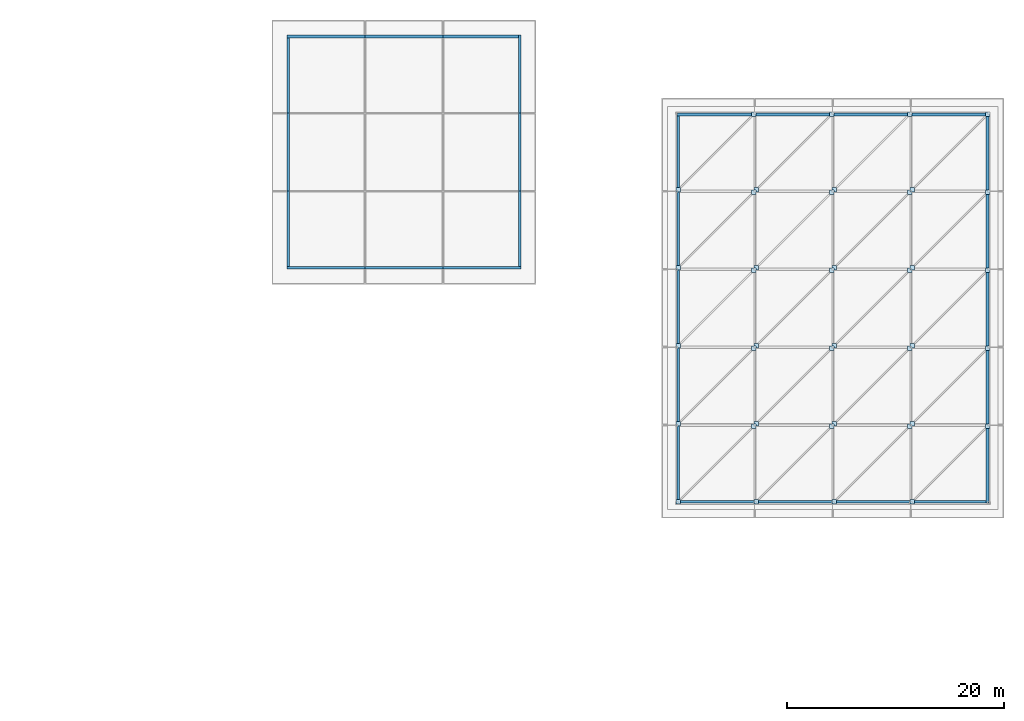
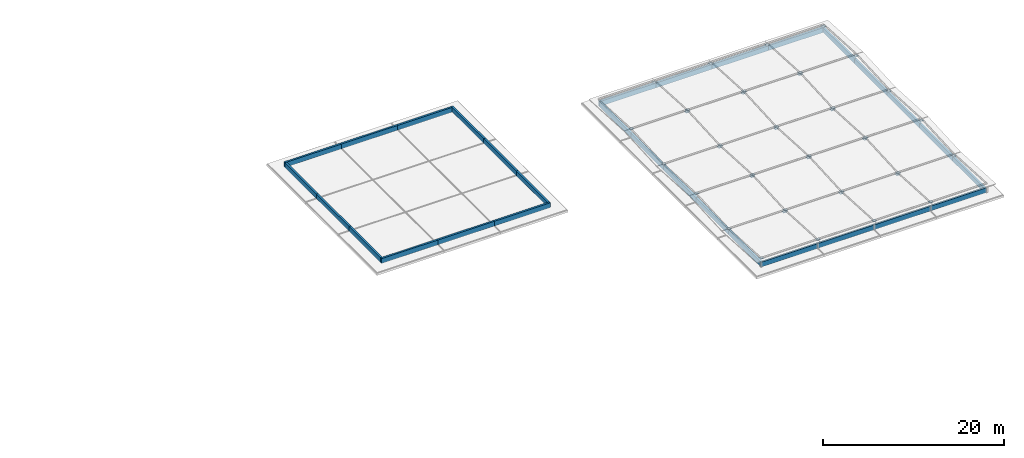
# One storey, part 14 of 15: 40 plates, 30 walls.
"""IFC4 building model written with IfcOpenShell, lengths in metres."""

from ifc_helpers import new_model, si_unit, direction, frame, frame_2d, origin, origin_2d, place, context, subcontext, project, spatial, rectangle, extrude, material, layer, layer_set, type_object, element, save


model = new_model("IFC4")

# Units and contexts
model_context = context("Model", 3, precision=1e-05, world=origin(), true_north=direction((0.0, 1.0)))
body_context = subcontext(model_context, "Body", "Model", "MODEL_VIEW")
ifc_project = project(units=[si_unit("LENGTHUNIT", "METRE"), si_unit("AREAUNIT", "SQUARE_METRE"), si_unit("VOLUMEUNIT", "CUBIC_METRE"), si_unit("PLANEANGLEUNIT", "RADIAN"), si_unit("MASSUNIT", "GRAM", prefix="KILO")], contexts=[model_context])

# Site, building, storey
site_placement = place(None, origin())
site = spatial("IfcSite", under=ifc_project, at=site_placement, CompositionType="ELEMENT")
building_placement = place(site_placement, origin())
building = spatial("IfcBuilding", under=site, at=building_placement, Name="Kavelor Marine Aquarium", CompositionType="ELEMENT")
storey_placement = place(building_placement, frame((0.0, 0.0, 25.56005859375)))
storey = spatial("IfcBuildingStorey", under=building, at=storey_placement, Name="RF", CompositionType="ELEMENT", Elevation=25.56005859375)

# Plates
ifc_material_1 = material(Name="Steel S355", Category="steel")
ifc_layer_1 = layer(ifc_material_1, 0.01806640625)
ifc_layer_set_1 = layer_set([ifc_layer_1], Name="PL-GP12")
plate_type = type_object("IfcPlateType", Name="PL-GP12", PredefinedType="SHEET", material=ifc_layer_set_1)
for number, where, z_axis, x_axis, name in (
    (1, (118.52001953125, 67.719970703125, 1.140869140625), (0.0, 0.0, 1.0), (1.0, 0.0, 0.0), "pv:gp:a:16_9"),
    (2, (125.47998046875, 74.679931640625, 0.740966796875), (0.0, 0.0, 1.0), (1.0, 0.0, 0.0), "pv:gp:b:16_9"),
    (3, (118.52001953125, 74.919921875, 0.740966796875), (0.0, 0.0, 1.0), (1.0, 0.0, 0.0), "pv:gp:a:16_10"),
    (4, (125.47998046875, 81.8798828125, 1.140869140625), (0.0, 0.0, 1.0), (1.0, 0.0, 0.0), "pv:gp:b:16_10"),
    (5, (118.52001953125, 82.1201171875, 1.140869140625), (0.0, 0.0, 1.0), (1.0, 0.0, 0.0), "pv:gp:a:16_11"),
    (6, (125.47998046875, 89.080078125, 0.740966796875), (0.0, 0.0, 1.0), (1.0, 0.0, 0.0), "pv:gp:b:16_11"),
    (7, (118.52001953125, 89.320068359375, 0.740966796875), (0.0, 0.0, 1.0), (1.0, 0.0, 0.0), "pv:gp:a:16_12"),
    (8, (125.47998046875, 96.280029296875, 1.140869140625), (0.0, 0.0, 1.0), (1.0, 0.0, 0.0), "pv:gp:b:16_12"),
    (9, (118.52001953125, 96.52001953125, 1.140869140625), (0.0, 0.0, 1.0), (1.0, 0.0, 0.0), "pv:gp:a:16_13"),
    (10, (125.47998046875, 103.47998046875, 0.740966796875), (0.0, 0.0, 1.0), (1.0, 0.0, 0.0), "pv:gp:b:16_13"),
    (11, (125.719970703125, 67.719970703125, 1.140869140625), (0.0, 0.0, 1.0), (1.0, 0.0, 0.0), "pv:gp:a:17_9"),
    (12, (132.679931640625, 74.679931640625, 0.740966796875), (0.0, 0.0, 1.0), (1.0, 0.0, 0.0), "pv:gp:b:17_9"),
    (13, (125.719970703125, 74.919921875, 0.740966796875), (0.0, 0.0, 1.0), (1.0, 0.0, 0.0), "pv:gp:a:17_10"),
    (14, (132.679931640625, 81.8798828125, 1.140869140625), (0.0, 0.0, 1.0), (1.0, 0.0, 0.0), "pv:gp:b:17_10"),
    (15, (125.719970703125, 82.1201171875, 1.140869140625), (0.0, 0.0, 1.0), (1.0, 0.0, 0.0), "pv:gp:a:17_11"),
    (16, (132.679931640625, 89.080078125, 0.740966796875), (0.0, 0.0, 1.0), (1.0, 0.0, 0.0), "pv:gp:b:17_11"),
    (17, (125.719970703125, 89.320068359375, 0.740966796875), (0.0, 0.0, 1.0), (1.0, 0.0, 0.0), "pv:gp:a:17_12"),
    (18, (132.679931640625, 96.280029296875, 1.140869140625), (0.0, 0.0, 1.0), (1.0, 0.0, 0.0), "pv:gp:b:17_12"),
    (19, (125.719970703125, 96.52001953125, 1.140869140625), (0.0, 0.0, 1.0), (1.0, 0.0, 0.0), "pv:gp:a:17_13"),
    (20, (132.679931640625, 103.47998046875, 0.740966796875), (0.0, 0.0, 1.0), (1.0, 0.0, 0.0), "pv:gp:b:17_13"),
    (21, (132.919921875, 67.719970703125, 1.140869140625), (0.0, 0.0, 1.0), (1.0, 0.0, 0.0), "pv:gp:a:18_9"),
    (22, (139.8798828125, 74.679931640625, 0.740966796875), (0.0, 0.0, 1.0), (1.0, 0.0, 0.0), "pv:gp:b:18_9"),
    (23, (132.919921875, 74.919921875, 0.740966796875), (0.0, 0.0, 1.0), (1.0, 0.0, 0.0), "pv:gp:a:18_10"),
    (24, (139.8798828125, 81.8798828125, 1.140869140625), (0.0, 0.0, 1.0), (1.0, 0.0, 0.0), "pv:gp:b:18_10"),
    (25, (132.919921875, 82.1201171875, 1.140869140625), (0.0, 0.0, 1.0), (1.0, 0.0, 0.0), "pv:gp:a:18_11"),
    (26, (139.8798828125, 89.080078125, 0.740966796875), (0.0, 0.0, 1.0), (1.0, 0.0, 0.0), "pv:gp:b:18_11"),
    (27, (132.919921875, 89.320068359375, 0.740966796875), (0.0, 0.0, 1.0), (1.0, 0.0, 0.0), "pv:gp:a:18_12"),
    (28, (139.8798828125, 96.280029296875, 1.140869140625), (0.0, 0.0, 1.0), (1.0, 0.0, 0.0), "pv:gp:b:18_12"),
    (29, (132.919921875, 96.52001953125, 1.140869140625), (0.0, 0.0, 1.0), (1.0, 0.0, 0.0), "pv:gp:a:18_13"),
    (30, (139.8798828125, 103.47998046875, 0.740966796875), (0.0, 0.0, 1.0), (1.0, 0.0, 0.0), "pv:gp:b:18_13"),
    (31, (140.1201171875, 67.719970703125, 1.140869140625), (0.0, 0.0, 1.0), (1.0, 0.0, 0.0), "pv:gp:a:19_9"),
    (32, (147.080078125, 74.679931640625, 0.740966796875), (0.0, 0.0, 1.0), (1.0, 0.0, 0.0), "pv:gp:b:19_9"),
    (33, (140.1201171875, 74.919921875, 0.740966796875), (0.0, 0.0, 1.0), (1.0, 0.0, 0.0), "pv:gp:a:19_10"),
    (34, (147.080078125, 81.8798828125, 1.140869140625), (0.0, 0.0, 1.0), (1.0, 0.0, 0.0), "pv:gp:b:19_10"),
    (35, (140.1201171875, 82.1201171875, 1.140869140625), (0.0, 0.0, 1.0), (1.0, 0.0, 0.0), "pv:gp:a:19_11"),
    (36, (147.080078125, 89.080078125, 0.740966796875), (0.0, 0.0, 1.0), (1.0, 0.0, 0.0), "pv:gp:b:19_11"),
    (37, (140.1201171875, 89.320068359375, 0.740966796875), (0.0, 0.0, 1.0), (1.0, 0.0, 0.0), "pv:gp:a:19_12"),
    (38, (147.080078125, 96.280029296875, 1.140869140625), (0.0, 0.0, 1.0), (1.0, 0.0, 0.0), "pv:gp:b:19_12"),
    (39, (140.1201171875, 96.52001953125, 1.140869140625), (0.0, 0.0, 1.0), (1.0, 0.0, 0.0), "pv:gp:a:19_13"),
    (40, (147.080078125, 103.47998046875, 0.740966796875), (0.0, 0.0, 1.0), (1.0, 0.0, 0.0), "pv:gp:b:19_13"),
):
    element("IfcPlate", number, at=place(storey_placement, frame(where, z_axis=z_axis, x_axis=x_axis)), inside=storey, type_object=plate_type, Name=name, PredefinedType="SHEET", context=body_context, shape_type="SweptSolid", body=[
        extrude(rectangle(XDim=0.419921875, YDim=0.419921875, at=origin_2d()), origin(), (0.0, 0.0, 1.0), 0.01806640625),
    ])

# Walls
ifc_material_2 = material(Name="Concrete C45/55", Category="concrete")
ifc_layer_2 = layer(ifc_material_2, 0.239990234375)
ifc_layer_set_2 = layer_set([ifc_layer_2], Name="WL-PR1")
wall_type = type_object("IfcWallType", Name="WL-PR1", PredefinedType="PARAPET", material=ifc_layer_set_2)
wall_1_placement = place(storey_placement, frame((82.39990234375, 89.320068359375, 0.0), z_axis=(0.0, 0.0, 1.0), x_axis=(1.0, 0.0, 0.0)))
element("IfcWall", 41, at=wall_1_placement, inside=storey, type_object=wall_type, Name="par:s:RF:11_12", PredefinedType="PARAPET", context=body_context, shape_type="SweptSolid", body=[
    extrude(rectangle(XDim=7.2001953125, YDim=0.239990234375, at=frame_2d((3.60009765625, 0.0))), origin(), (0.0, 0.0, 1.0), 0.64990234375),
])
wall_2_placement = place(storey_placement, frame((82.52001953125, 89.199951171875, 0.0), z_axis=(0.0, 0.0, 1.0), x_axis=(0.0, 1.0, 0.0)))
element("IfcWall", 42, at=wall_2_placement, inside=storey, type_object=wall_type, Name="par:w:RF:11_12", PredefinedType="PARAPET", context=body_context, shape_type="SweptSolid", body=[
    extrude(rectangle(XDim=7.199951171875, YDim=0.239990234375, at=frame_2d((3.60009765625, 0.0))), origin(), (0.0, 0.0, 1.0), 0.64990234375),
])
for number, where, z_axis, x_axis, name in (
    (43, (82.52001953125, 96.39990234375, 0.0), (0.0, 0.0, 1.0), (0.0, 1.0, 0.0), "par:w:RF:11_13"),
    (44, (82.39990234375, 110.679931640625, 0.0), (0.0, 0.0, 1.0), (1.0, 0.0, 0.0), "par:n:RF:11_14"),
):
    element("IfcWall", number, at=place(storey_placement, frame(where, z_axis=z_axis, x_axis=x_axis)), inside=storey, type_object=wall_type, Name=name, PredefinedType="PARAPET", context=body_context, shape_type="SweptSolid", body=[
        extrude(rectangle(XDim=7.2001953125, YDim=0.239990234375, at=frame_2d((3.60009765625, 0.0))), origin(), (0.0, 0.0, 1.0), 0.64990234375),
    ])
for number, where, z_axis, x_axis, name in (
    (45, (82.52001953125, 103.60009765625, 0.0), (0.0, 0.0, 1.0), (0.0, 1.0, 0.0), "par:w:RF:11_14"),
    (46, (89.60009765625, 89.320068359375, 0.0), (0.0, 0.0, 1.0), (1.0, 0.0, 0.0), "par:s:RF:12_12"),
    (47, (89.60009765625, 110.679931640625, 0.0), (0.0, 0.0, 1.0), (1.0, 0.0, 0.0), "par:n:RF:12_14"),
    (48, (96.800048828125, 89.320068359375, 0.0), (0.0, 0.0, 1.0), (1.0, 0.0, 0.0), "par:s:RF:13_12"),
    (49, (103.8798828125, 89.199951171875, 0.0), (0.0, 0.0, 1.0), (0.0, 1.0, 0.0), "par:e:RF:13_12"),
):
    element("IfcWall", number, at=place(storey_placement, frame(where, z_axis=z_axis, x_axis=x_axis)), inside=storey, type_object=wall_type, Name=name, PredefinedType="PARAPET", context=body_context, shape_type="SweptSolid", body=[
        extrude(rectangle(XDim=7.199951171875, YDim=0.239990234375, at=frame_2d((3.60009765625, 0.0))), origin(), (0.0, 0.0, 1.0), 0.64990234375),
    ])
wall_3_placement = place(storey_placement, frame((103.8798828125, 96.39990234375, 0.0), z_axis=(0.0, 0.0, 1.0), x_axis=(0.0, 1.0, 0.0)))
element("IfcWall", 50, at=wall_3_placement, inside=storey, type_object=wall_type, Name="par:e:RF:13_13", PredefinedType="PARAPET", context=body_context, shape_type="SweptSolid", body=[
    extrude(rectangle(XDim=7.2001953125, YDim=0.239990234375, at=frame_2d((3.60009765625, 0.0))), origin(), (0.0, 0.0, 1.0), 0.64990234375),
])
for number, where, z_axis, x_axis, name in (
    (51, (96.800048828125, 110.679931640625, 0.0), (0.0, 0.0, 1.0), (1.0, 0.0, 0.0), "par:n:RF:13_14"),
    (52, (103.8798828125, 103.60009765625, 0.0), (0.0, 0.0, 1.0), (0.0, 1.0, 0.0), "par:e:RF:13_14"),
):
    element("IfcWall", number, at=place(storey_placement, frame(where, z_axis=z_axis, x_axis=x_axis)), inside=storey, type_object=wall_type, Name=name, PredefinedType="PARAPET", context=body_context, shape_type="SweptSolid", body=[
        extrude(rectangle(XDim=7.199951171875, YDim=0.239990234375, at=frame_2d((3.60009765625, 0.0))), origin(), (0.0, 0.0, 1.0), 0.64990234375),
    ])
wall_4_placement = place(storey_placement, frame((118.39990234375, 67.719970703125, 0.0), z_axis=(0.0, 0.0, 1.0), x_axis=(1.0, 0.0, 0.0)))
element("IfcWall", 53, at=wall_4_placement, inside=storey, type_object=wall_type, Name="par:s:RF:16_09", PredefinedType="PARAPET", context=body_context, shape_type="SweptSolid", body=[
    extrude(rectangle(XDim=7.2001953125, YDim=0.239990234375, at=frame_2d((3.60009765625, 0.0))), origin(), (0.0, 0.0, 1.0), 0.64990234375),
])
for number, where, z_axis, x_axis, name in (
    (54, (118.52001953125, 67.60009765625, 0.0), (0.0, 0.0, 1.0), (0.0, 1.0, 0.0), "par:w:RF:16_09"),
    (55, (118.52001953125, 74.800048828125, 0.0), (0.0, 0.0, 1.0), (0.0, 1.0, 0.0), "par:w:RF:16_10"),
    (56, (118.52001953125, 82.0, 0.0), (0.0, 0.0, 1.0), (0.0, 1.0, 0.0), "par:w:RF:16_11"),
    (57, (118.52001953125, 89.199951171875, 0.0), (0.0, 0.0, 1.0), (0.0, 1.0, 0.0), "par:w:RF:16_12"),
):
    element("IfcWall", number, at=place(storey_placement, frame(where, z_axis=z_axis, x_axis=x_axis)), inside=storey, type_object=wall_type, Name=name, PredefinedType="PARAPET", context=body_context, shape_type="SweptSolid", body=[
        extrude(rectangle(XDim=7.199951171875, YDim=0.239990234375, at=frame_2d((3.60009765625, 0.0))), origin(), (0.0, 0.0, 1.0), 0.64990234375),
    ])
for number, where, z_axis, x_axis, name in (
    (58, (118.39990234375, 103.47998046875, 0.0), (0.0, 0.0, 1.0), (1.0, 0.0, 0.0), "par:n:RF:16_13"),
    (59, (118.52001953125, 96.39990234375, 0.0), (0.0, 0.0, 1.0), (0.0, 1.0, 0.0), "par:w:RF:16_13"),
):
    element("IfcWall", number, at=place(storey_placement, frame(where, z_axis=z_axis, x_axis=x_axis)), inside=storey, type_object=wall_type, Name=name, PredefinedType="PARAPET", context=body_context, shape_type="SweptSolid", body=[
        extrude(rectangle(XDim=7.2001953125, YDim=0.239990234375, at=frame_2d((3.60009765625, 0.0))), origin(), (0.0, 0.0, 1.0), 0.64990234375),
    ])
for number, where, z_axis, x_axis, name in (
    (60, (125.60009765625, 67.719970703125, 0.0), (0.0, 0.0, 1.0), (1.0, 0.0, 0.0), "par:s:RF:17_09"),
    (61, (125.60009765625, 103.47998046875, 0.0), (0.0, 0.0, 1.0), (1.0, 0.0, 0.0), "par:n:RF:17_13"),
    (62, (132.800048828125, 67.719970703125, 0.0), (0.0, 0.0, 1.0), (1.0, 0.0, 0.0), "par:s:RF:18_09"),
    (63, (132.800048828125, 103.47998046875, 0.0), (0.0, 0.0, 1.0), (1.0, 0.0, 0.0), "par:n:RF:18_13"),
    (64, (140.0, 67.719970703125, 0.0), (0.0, 0.0, 1.0), (1.0, 0.0, 0.0), "par:s:RF:19_09"),
    (65, (147.080078125, 67.60009765625, 0.0), (0.0, 0.0, 1.0), (0.0, 1.0, 0.0), "par:e:RF:19_09"),
    (66, (147.080078125, 74.800048828125, 0.0), (0.0, 0.0, 1.0), (0.0, 1.0, 0.0), "par:e:RF:19_10"),
    (67, (147.080078125, 82.0, 0.0), (0.0, 0.0, 1.0), (0.0, 1.0, 0.0), "par:e:RF:19_11"),
    (68, (147.080078125, 89.199951171875, 0.0), (0.0, 0.0, 1.0), (0.0, 1.0, 0.0), "par:e:RF:19_12"),
    (69, (140.0, 103.47998046875, 0.0), (0.0, 0.0, 1.0), (1.0, 0.0, 0.0), "par:n:RF:19_13"),
):
    element("IfcWall", number, at=place(storey_placement, frame(where, z_axis=z_axis, x_axis=x_axis)), inside=storey, type_object=wall_type, Name=name, PredefinedType="PARAPET", context=body_context, shape_type="SweptSolid", body=[
        extrude(rectangle(XDim=7.199951171875, YDim=0.239990234375, at=frame_2d((3.60009765625, 0.0))), origin(), (0.0, 0.0, 1.0), 0.64990234375),
    ])
wall_5_placement = place(storey_placement, frame((147.080078125, 96.39990234375, 0.0), z_axis=(0.0, 0.0, 1.0), x_axis=(0.0, 1.0, 0.0)))
element("IfcWall", 70, at=wall_5_placement, inside=storey, type_object=wall_type, Name="par:e:RF:19_13", PredefinedType="PARAPET", context=body_context, shape_type="SweptSolid", body=[
    extrude(rectangle(XDim=7.2001953125, YDim=0.239990234375, at=frame_2d((3.60009765625, 0.0))), origin(), (0.0, 0.0, 1.0), 0.64990234375),
])

save(model, "model.ifc")
